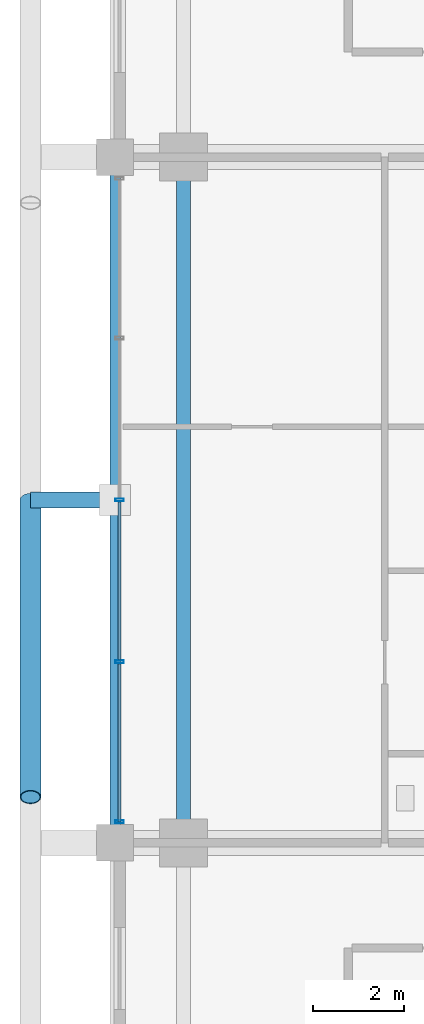
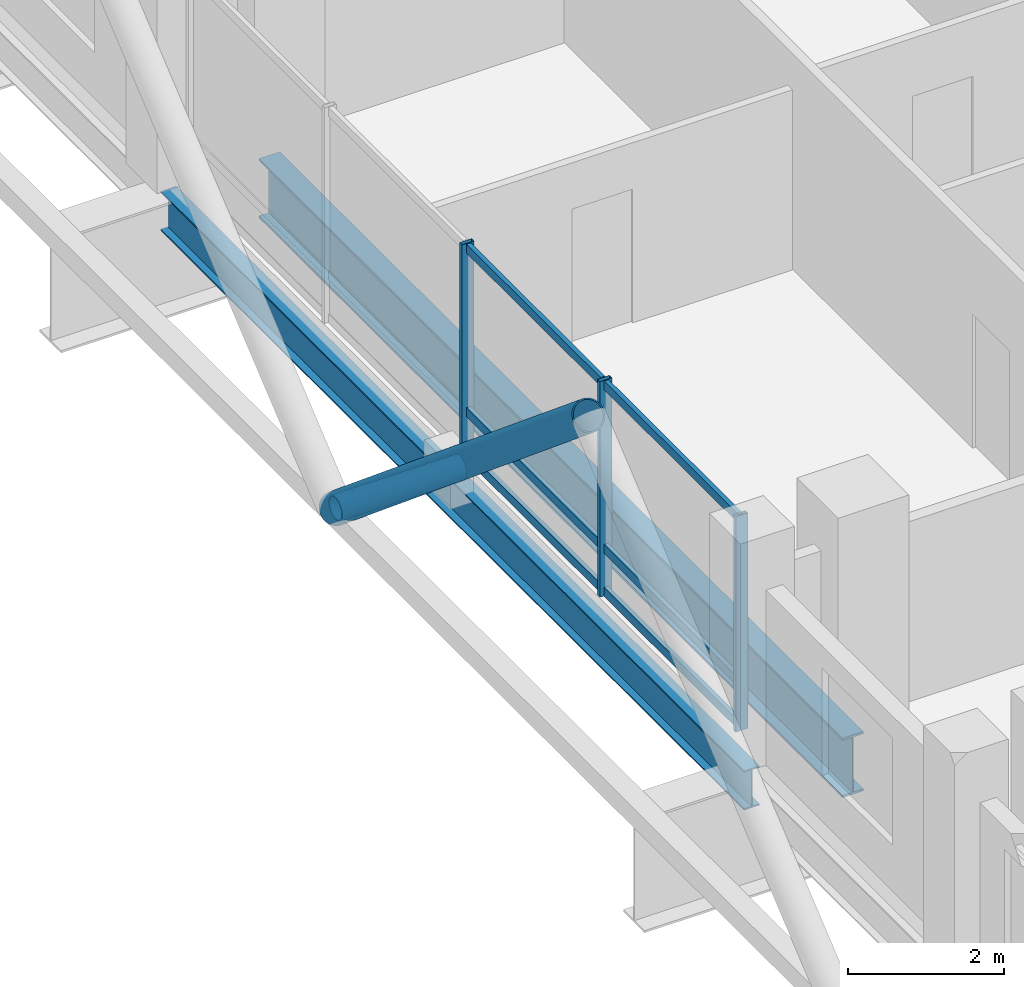
# One storey, part 2 of 23: 11 members, 2 beams, 1 element without a shape of its own.
"""IFC4 building model written with IfcOpenShell, lengths in metres."""

from ifc_helpers import new_model, si_unit, direction, frame, origin, origin_2d, place, context, subcontext, project, spatial, hollow_rectangle, hollow_circle, i_section, extrude, material, layer, layer_set, material_profile, profile_set, type_object, element, aggregate, save


model = new_model("IFC4")

# Units and contexts
model_context = context("Model", 3, precision=1e-05, world=origin(), true_north=direction((0.0, 1.0)))
body_context = subcontext(model_context, "Body", "Model", "MODEL_VIEW")
ifc_project = project(units=[si_unit("LENGTHUNIT", "METRE"), si_unit("AREAUNIT", "SQUARE_METRE"), si_unit("VOLUMEUNIT", "CUBIC_METRE"), si_unit("PLANEANGLEUNIT", "RADIAN"), si_unit("MASSUNIT", "GRAM", prefix="KILO")], contexts=[model_context])

# Site, building, storey
site_placement = place(None, origin())
site = spatial("IfcSite", under=ifc_project, at=site_placement, CompositionType="ELEMENT")
building_placement = place(site_placement, origin())
building = spatial("IfcBuilding", under=site, at=building_placement, Name="Barlavira Tower and Art Museum", CompositionType="ELEMENT")
storey_placement = place(building_placement, frame((0.0, 0.0, 165.60009765625)))
storey = spatial("IfcBuildingStorey", under=building, at=storey_placement, Name="L42", CompositionType="ELEMENT", Elevation=165.60009765625)

# Curtain wall, members
ifc_material_1 = material(Name="Low-iron coastal laminated glass", Category="glass")
ifc_layer = layer(ifc_material_1, 0.199951171875, Name="Low-iron coastal laminated glass")
ifc_layer_set = layer_set([ifc_layer], Name="Low-iron coastal laminated glass")
curtain_wall_type = type_object("IfcCurtainWallType", Name="Pale-Metal Unitised Curtain Wall Zone 3", PredefinedType="NOTDEFINED", material=ifc_layer_set)
curtain_wall_placement = place(storey_placement, origin())
curtain_wall = element("IfcCurtainWall", 1, at=curtain_wall_placement, inside=storey, type_object=curtain_wall_type, Name="L42 Curtain Wall CW3-L42-W-B3", PredefinedType="NOTDEFINED")
ifc_material_2 = material(Name="Pale anodised aluminium", Category="aluminium")
ifc_material_profile_1 = material_profile(ifc_material_2, hollow_rectangle(XDim=0.06494140625, YDim=0.179931640625, WallThickness=0.00390625, at=origin_2d()), Name="ALU-MULL 65x180x4")
ifc_profile_set_1 = profile_set([ifc_material_profile_1], Name="Pale anodised aluminium")
member_type_1 = type_object("IfcMemberType", Name="Curtain Wall Pale-Metal Mullion 65x180", PredefinedType="MULLION", material=ifc_profile_set_1)
member_1_placement = place(storey_placement, frame((-18.39990234375, 0.0, 0.0), z_axis=(0.0, 0.0, 1.0), x_axis=(0.0, -1.0, 0.0)))
member_1 = element("IfcMember", 2, at=member_1_placement, type_object=member_type_1, Name="CW3-L42-W-B3 Mullion 2", PredefinedType="MULLION", context=body_context, shape_type="SweptSolid", body=[
    extrude(hollow_rectangle(XDim=0.06494140625, YDim=0.179931640625, WallThickness=0.00390625, at=origin_2d()), origin(), (0.0, 0.0, 1.0), 3.3798828125),
])
member_2_placement = place(storey_placement, frame((-18.39990234375, -3.5400390625, 0.0), z_axis=(0.0, 0.0, 1.0), x_axis=(0.0, -1.0, 0.0)))
member_2 = element("IfcMember", 3, at=member_2_placement, type_object=member_type_1, Name="CW3-L42-W-B3 Mullion 3", PredefinedType="MULLION", context=body_context, shape_type="SweptSolid", body=[
    extrude(hollow_rectangle(XDim=0.06494140625, YDim=0.179931640625, WallThickness=0.00390625, at=origin_2d()), origin(), (0.0, 0.0, 1.0), 3.3798828125),
])
member_3_placement = place(storey_placement, frame((-18.39990234375, -7.034912109375, 0.0), z_axis=(0.0, 0.0, 1.0), x_axis=(0.0, -1.0, 0.0)))
member_3 = element("IfcMember", 4, at=member_3_placement, type_object=member_type_1, Name="CW3-L42-W-B3 Mullion 4", PredefinedType="MULLION", context=body_context, shape_type="SweptSolid", body=[
    extrude(hollow_rectangle(XDim=0.06494140625, YDim=0.179931640625, WallThickness=0.00390625, at=origin_2d()), origin(), (0.0, 0.0, 1.0), 3.3798828125),
])
ifc_material_profile_2 = material_profile(ifc_material_2, hollow_rectangle(XDim=0.06494140625, YDim=0.139892578125, WallThickness=0.00390625, at=origin_2d()), Name="ALU-TRAN 65x140x4")
ifc_profile_set_2 = profile_set([ifc_material_profile_2], Name="Pale anodised aluminium")
member_type_2 = type_object("IfcMemberType", Name="Curtain Wall Pale-Metal Transom 65x140", PredefinedType="USERDEFINED", material=ifc_profile_set_2)
member_4_placement = place(storey_placement, frame((-18.39990234375, -0.044921875, 0.06982421875), z_axis=(0.0, -1.0, 0.0), x_axis=(1.0, 0.0, 0.0)))
member_4 = element("IfcMember", 5, at=member_4_placement, type_object=member_type_2, Name="CW3-L42-W-B3 Transom 2.1", ObjectType="TRANSOM", PredefinedType="USERDEFINED", context=body_context, shape_type="SweptSolid", body=[
    extrude(hollow_rectangle(XDim=0.06494140625, YDim=0.139892578125, WallThickness=0.00390625, at=origin_2d()), origin(), (0.0, 0.0, 1.0), 3.4501953125),
])
member_5_placement = place(storey_placement, frame((-18.39990234375, -0.044921875, 0.743896484375), z_axis=(0.0, -1.0, 0.0), x_axis=(1.0, 0.0, 0.0)))
member_5 = element("IfcMember", 6, at=member_5_placement, type_object=member_type_2, Name="CW3-L42-W-B3 Transom 2.2", ObjectType="TRANSOM", PredefinedType="USERDEFINED", context=body_context, shape_type="SweptSolid", body=[
    extrude(hollow_rectangle(XDim=0.06494140625, YDim=0.139892578125, WallThickness=0.00390625, at=origin_2d()), origin(), (0.0, 0.0, 1.0), 3.4501953125),
])
member_6_placement = place(storey_placement, frame((-18.39990234375, -0.044921875, 3.309814453125), z_axis=(0.0, -1.0, 0.0), x_axis=(1.0, 0.0, 0.0)))
member_6 = element("IfcMember", 7, at=member_6_placement, type_object=member_type_2, Name="CW3-L42-W-B3 Transom 2.3", ObjectType="TRANSOM", PredefinedType="USERDEFINED", context=body_context, shape_type="SweptSolid", body=[
    extrude(hollow_rectangle(XDim=0.06494140625, YDim=0.139892578125, WallThickness=0.00390625, at=origin_2d()), origin(), (0.0, 0.0, 1.0), 3.4501953125),
])
member_7_placement = place(storey_placement, frame((-18.39990234375, -3.5849609375, 0.06982421875), z_axis=(0.0, -1.0, 0.0), x_axis=(1.0, 0.0, 0.0)))
member_7 = element("IfcMember", 8, at=member_7_placement, type_object=member_type_2, Name="CW3-L42-W-B3 Transom 3.1", ObjectType="TRANSOM", PredefinedType="USERDEFINED", context=body_context, shape_type="SweptSolid", body=[
    extrude(hollow_rectangle(XDim=0.06494140625, YDim=0.139892578125, WallThickness=0.00390625, at=origin_2d()), origin(), (0.0, 0.0, 1.0), 3.449951171875),
])
member_8_placement = place(storey_placement, frame((-18.39990234375, -3.5849609375, 0.743896484375), z_axis=(0.0, -1.0, 0.0), x_axis=(1.0, 0.0, 0.0)))
member_8 = element("IfcMember", 9, at=member_8_placement, type_object=member_type_2, Name="CW3-L42-W-B3 Transom 3.2", ObjectType="TRANSOM", PredefinedType="USERDEFINED", context=body_context, shape_type="SweptSolid", body=[
    extrude(hollow_rectangle(XDim=0.06494140625, YDim=0.139892578125, WallThickness=0.00390625, at=origin_2d()), origin(), (0.0, 0.0, 1.0), 3.449951171875),
])
member_9_placement = place(storey_placement, frame((-18.39990234375, -3.5849609375, 3.309814453125), z_axis=(0.0, -1.0, 0.0), x_axis=(1.0, 0.0, 0.0)))
member_9 = element("IfcMember", 10, at=member_9_placement, type_object=member_type_2, Name="CW3-L42-W-B3 Transom 3.3", ObjectType="TRANSOM", PredefinedType="USERDEFINED", context=body_context, shape_type="SweptSolid", body=[
    extrude(hollow_rectangle(XDim=0.06494140625, YDim=0.139892578125, WallThickness=0.00390625, at=origin_2d()), origin(), (0.0, 0.0, 1.0), 3.449951171875),
])
aggregate(curtain_wall, [member_1, member_2, member_3, member_4, member_5, member_6, member_7, member_8, member_9])

# Members
ifc_material_3 = material(Name="Steel S355", Category="steel")
ifc_material_profile_3 = material_profile(ifc_material_3, hollow_circle(Radius=0.228515625, WallThickness=0.02001953125, at=origin_2d()), Name="CHS 457.0x20.0")
ifc_profile_set_3 = profile_set([ifc_material_profile_3], Name="Steel S355")
member_type_3 = type_object("IfcMemberType", Name="Pale-Metal Exoskeleton Diagrid Tube CHS 457x20 Steel S355", PredefinedType="BRACE", material=ifc_profile_set_3)
member_10_placement = place(storey_placement, frame((-20.35009765625, 0.0, -0.1201171875), z_axis=(0.0, -0.769196053329, 0.639012857104), x_axis=(1.0, 0.0, 0.0)))
element("IfcMember", 11, at=member_10_placement, inside=storey, type_object=member_type_3, Name="L42 Exoskeleton Diagrid Tube W", PredefinedType="BRACE", context=body_context, shape_type="SweptSolid", body=[
    extrude(hollow_circle(Radius=0.228515625, WallThickness=0.02001953125, at=origin_2d()), origin(), (0.0, 0.0, 1.0), 8.450439453125),
])
ifc_material_profile_4 = material_profile(ifc_material_3, hollow_circle(Radius=0.177734375, WallThickness=0.01611328125, at=origin_2d()), Name="CHS 355.6x16.0")
ifc_profile_set_4 = profile_set([ifc_material_profile_4], Name="Steel S355")
member_type_4 = type_object("IfcMemberType", Name="Pale-Metal Exoskeleton Tie Strut CHS 356x16 Steel S355", PredefinedType="STRUT", material=ifc_profile_set_4)
member_11_placement = place(storey_placement, frame((-20.35009765625, 0.0, -0.1201171875), z_axis=(1.0, 0.0, 0.0), x_axis=(0.0, 1.0, 0.0)))
element("IfcMember", 12, at=member_11_placement, inside=storey, type_object=member_type_4, Name="L42 Exoskeleton Tie Strut W2", PredefinedType="STRUT", context=body_context, shape_type="SweptSolid", body=[
    extrude(hollow_circle(Radius=0.177734375, WallThickness=0.01611328125, at=origin_2d()), origin(), (0.0, 0.0, 1.0), 1.85009765625),
])

# Beams
ifc_material_profile_5 = material_profile(ifc_material_3, i_section(OverallWidth=0.30908203125, OverallDepth=0.931884765625, WebThickness=0.01953125, FlangeThickness=0.034423828125, at=origin_2d()), Name="W920x313.0")
ifc_profile_set_5 = profile_set([ifc_material_profile_5], Name="Steel S355")
beam_type_1 = type_object("IfcBeamType", Name="Setback Ring Girder W920x313 Steel S355", PredefinedType="BEAM", material=ifc_profile_set_5)
beam_1_placement = place(storey_placement, frame((-17.0, -7.5, -0.76611328125), z_axis=(0.0, 1.0, 0.0), x_axis=(-1.0, 0.0, 0.0)))
element("IfcBeam", 13, at=beam_1_placement, inside=storey, type_object=beam_type_1, Name="L42 Girder M-W2", PredefinedType="BEAM", context=body_context, shape_type="SweptSolid", body=[
    extrude(i_section(OverallWidth=0.30908203125, OverallDepth=0.931884765625, WebThickness=0.01953125, FlangeThickness=0.034423828125, at=origin_2d()), origin(), (0.0, 0.0, 1.0), 15.0),
])
ifc_material_profile_6 = material_profile(ifc_material_3, i_section(OverallWidth=0.22998046875, OverallDepth=0.616943359375, WebThickness=0.01318359375, FlangeThickness=0.022216796875, at=origin_2d()), Name="W610x140.0")
ifc_profile_set_6 = profile_set([ifc_material_profile_6], Name="Steel S355")
beam_type_2 = type_object("IfcBeamType", Name="Upper Shaft Spandrel Edge Beam W610x140 Steel S355", PredefinedType="SPANDREL", material=ifc_profile_set_6)
beam_2_placement = place(storey_placement, frame((-18.5, -7.5, -0.608642578125), z_axis=(0.0, 1.0, 0.0), x_axis=(-1.0, 0.0, 0.0)))
element("IfcBeam", 14, at=beam_2_placement, inside=storey, type_object=beam_type_2, Name="L42 Spandrel 14", PredefinedType="SPANDREL", context=body_context, shape_type="SweptSolid", body=[
    extrude(i_section(OverallWidth=0.22998046875, OverallDepth=0.616943359375, WebThickness=0.01318359375, FlangeThickness=0.022216796875, at=origin_2d()), origin(), (0.0, 0.0, 1.0), 15.0),
])

save(model, "model.ifc")
